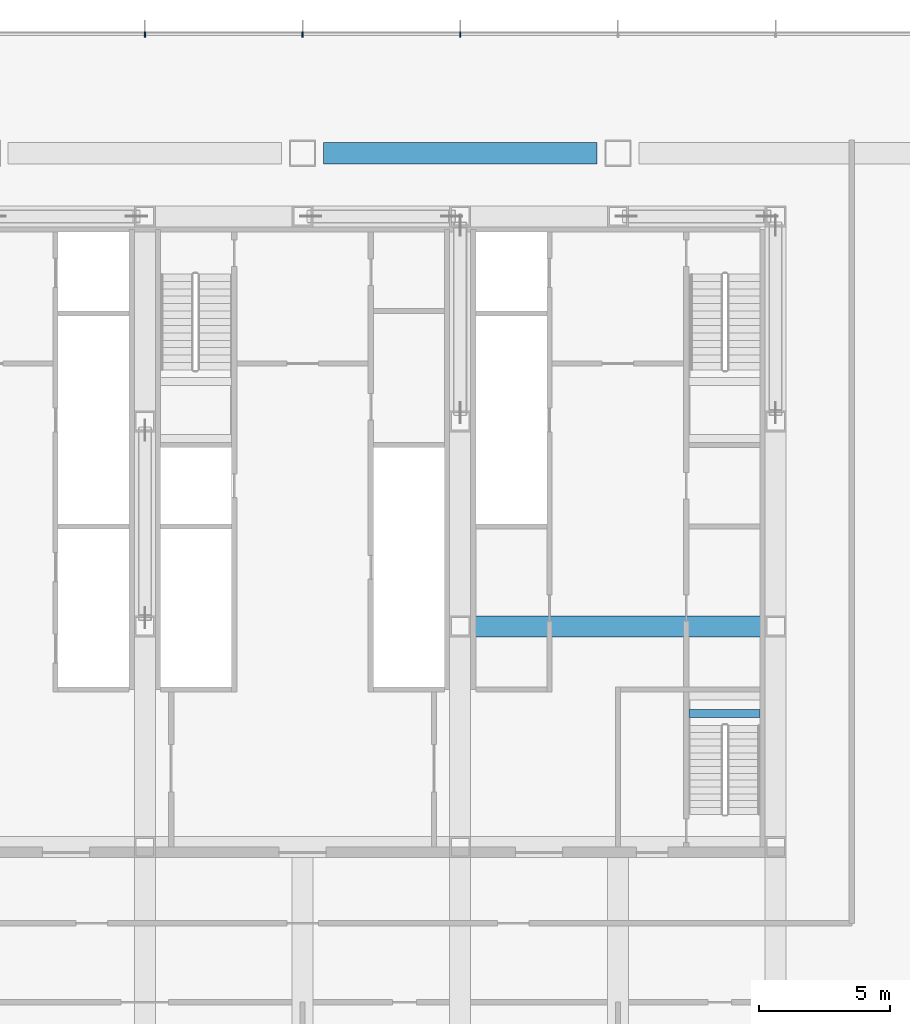
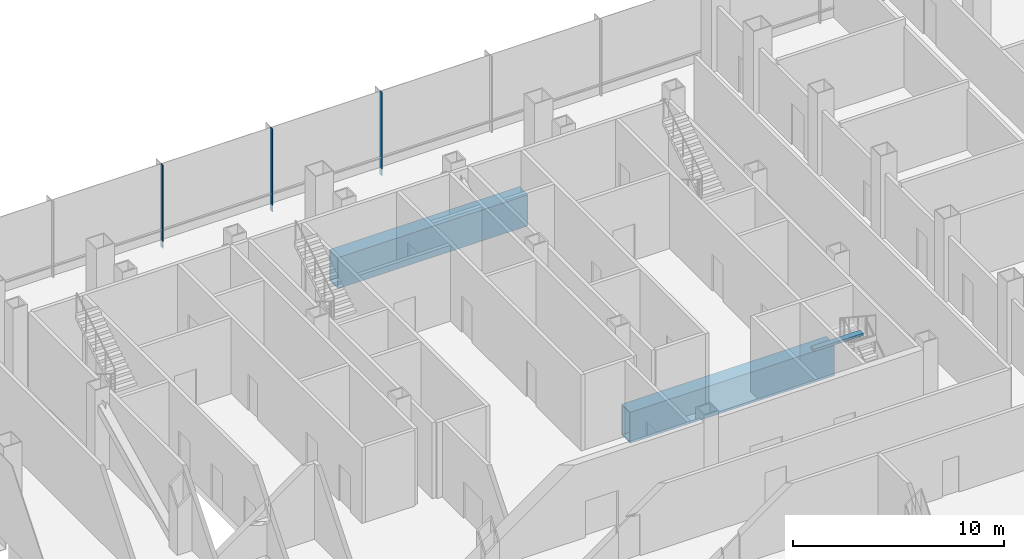
# One storey, part 13 of 34: 3 beams, 3 members, 1 element without a shape of its own.
"""IFC4 building model written with IfcOpenShell, lengths in metres."""

from ifc_helpers import new_model, si_unit, direction, frame, origin, origin_2d, place, context, subcontext, project, spatial, rectangle, hollow_rectangle, extrude, material, material_profile, profile_set, type_object, element, aggregate, save


model = new_model("IFC4")

# Units and contexts
model_context = context("Model", 3, precision=1e-05, world=origin(), true_north=direction((0.0, 1.0)))
body_context = subcontext(model_context, "Body", "Model", "MODEL_VIEW")
ifc_project = project(units=[si_unit("LENGTHUNIT", "METRE"), si_unit("AREAUNIT", "SQUARE_METRE"), si_unit("VOLUMEUNIT", "CUBIC_METRE"), si_unit("PLANEANGLEUNIT", "RADIAN"), si_unit("MASSUNIT", "GRAM", prefix="KILO")], contexts=[model_context])

# Site, building, storey
site_placement = place(None, origin())
site = spatial("IfcSite", under=ifc_project, at=site_placement, CompositionType="ELEMENT")
building_placement = place(site_placement, origin())
building = spatial("IfcBuilding", under=site, at=building_placement, Name="Sorahane Residences", CompositionType="ELEMENT")
storey_placement = place(building_placement, frame((0.0, 0.0, 20.39990234375)))
storey = spatial("IfcBuildingStorey", under=building, at=storey_placement, Name="L02", CompositionType="ELEMENT", Elevation=20.39990234375)

# Curtain wall, members
ifc_material_1 = material(Name="Dark low-e glass and black anodised aluminium", Category="aluminium")
curtain_wall_type = type_object("IfcCurtainWallType", Name="Curtain wall CW-3 Podium unitised wall", PredefinedType="NOTDEFINED", material=ifc_material_1)
curtain_wall_placement = place(storey_placement, origin())
curtain_wall = element("IfcCurtainWall", 1, at=curtain_wall_placement, inside=storey, type_object=curtain_wall_type, Name="CW-3 curtain wall L02 N1", PredefinedType="NOTDEFINED")
ifc_material_2 = material(Name="Black anodised aluminium", Category="aluminium")
ifc_material_profile_1 = material_profile(ifc_material_2, rectangle(XDim=0.199951171875, YDim=0.050048828125, at=origin_2d()), Name="Curtain wall mullion CW-3 black anodised aluminium 50x200")
ifc_profile_set_1 = profile_set([ifc_material_profile_1], Name="Black anodised aluminium")
member_type = type_object("IfcMemberType", Name="Curtain wall mullion CW-3 black anodised aluminium 50x200", PredefinedType="MULLION", material=ifc_profile_set_1)
member_1_placement = place(storey_placement, frame((30.0, 52.52001953125, -0.39990234375), z_axis=(0.0, 0.0, 1.0), x_axis=(0.0, 1.0, 0.0)))
member_1 = element("IfcMember", 2, at=member_1_placement, type_object=member_type, Name="CW-3 mullion L02 N1.9", PredefinedType="MULLION", context=body_context, shape_type="SweptSolid", body=[
    extrude(rectangle(XDim=0.199951171875, YDim=0.050048828125, at=origin_2d()), origin(), (0.0, 0.0, 1.0), 4.800048828125),
])
member_2_placement = place(storey_placement, frame((24.0, 52.52001953125, -0.39990234375), z_axis=(0.0, 0.0, 1.0), x_axis=(0.0, 1.0, 0.0)))
member_2 = element("IfcMember", 3, at=member_2_placement, type_object=member_type, Name="CW-3 mullion L02 N1.10", PredefinedType="MULLION", context=body_context, shape_type="SweptSolid", body=[
    extrude(rectangle(XDim=0.199951171875, YDim=0.050048828125, at=origin_2d()), origin(), (0.0, 0.0, 1.0), 4.800048828125),
])
member_3_placement = place(storey_placement, frame((18.0, 52.52001953125, -0.39990234375), z_axis=(0.0, 0.0, 1.0), x_axis=(0.0, 1.0, 0.0)))
member_3 = element("IfcMember", 4, at=member_3_placement, type_object=member_type, Name="CW-3 mullion L02 N1.11", PredefinedType="MULLION", context=body_context, shape_type="SweptSolid", body=[
    extrude(rectangle(XDim=0.199951171875, YDim=0.050048828125, at=origin_2d()), origin(), (0.0, 0.0, 1.0), 4.800048828125),
])
aggregate(curtain_wall, [member_1, member_2, member_3])

# Beams
ifc_material_3 = material(Name="Concrete C40", Category="concrete")
ifc_material_profile_2 = material_profile(ifc_material_3, rectangle(XDim=0.300048828125, YDim=0.139892578125, at=origin_2d()), Name="300x140")
ifc_profile_set_2 = profile_set([ifc_material_profile_2], Name="Concrete C40")
beam_type_1 = type_object("IfcBeamType", Name="RC landing beam 300 x 140 Concrete C40", PredefinedType="BEAM", material=ifc_profile_set_2)
beam_1_placement = place(storey_placement, frame((38.699951171875, 26.679931640625, 2.130126953125), z_axis=(1.0, 0.0, 0.0), x_axis=(0.0, 1.0, 0.0)))
element("IfcBeam", 5, at=beam_1_placement, inside=storey, type_object=beam_type_1, Name="Landing beam", PredefinedType="BEAM", context=body_context, shape_type="SweptSolid", body=[
    extrude(rectangle(XDim=0.300048828125, YDim=0.139892578125, at=origin_2d()), origin(), (0.0, 0.0, 1.0), 2.699951171875),
])
ifc_material_4 = material(Name="Steel Q420GJ", Category="steel")
ifc_material_profile_3 = material_profile(ifc_material_4, hollow_rectangle(XDim=0.800048828125, YDim=1.800048828125, WallThickness=0.050048828125, at=origin_2d()), Name="BOX 1800x800x50")
ifc_profile_set_3 = profile_set([ifc_material_profile_3], Name="Steel Q420GJ")
beam_type_2 = type_object("IfcBeamType", Name="Steel transfer girder BOX 1800x800x50 Q420GJ", PredefinedType="BEAM", material=ifc_profile_set_3)
beam_2_placement = place(storey_placement, frame((24.800048828125, 48.0, -1.2998046875), z_axis=(1.0, 0.0, 0.0), x_axis=(0.0, 1.0, 0.0)))
element("IfcBeam", 6, at=beam_2_placement, inside=storey, type_object=beam_type_2, Name="Beam L02 018", PredefinedType="BEAM", context=body_context, shape_type="SweptSolid", body=[
    extrude(hollow_rectangle(XDim=0.800048828125, YDim=1.800048828125, WallThickness=0.050048828125, at=origin_2d()), origin(), (0.0, 0.0, 1.0), 10.39990234375),
])
beam_3_placement = place(storey_placement, frame((30.39990234375, 30.0, -1.2998046875), z_axis=(1.0, 0.0, 0.0), x_axis=(0.0, 1.0, 0.0)))
element("IfcBeam", 7, at=beam_3_placement, inside=storey, type_object=beam_type_2, Name="Beam L02 024", PredefinedType="BEAM", context=body_context, shape_type="SweptSolid", body=[
    extrude(hollow_rectangle(XDim=0.800048828125, YDim=1.800048828125, WallThickness=0.050048828125, at=origin_2d()), origin(), (0.0, 0.0, 1.0), 11.2001953125),
])

save(model, "model.ifc")
